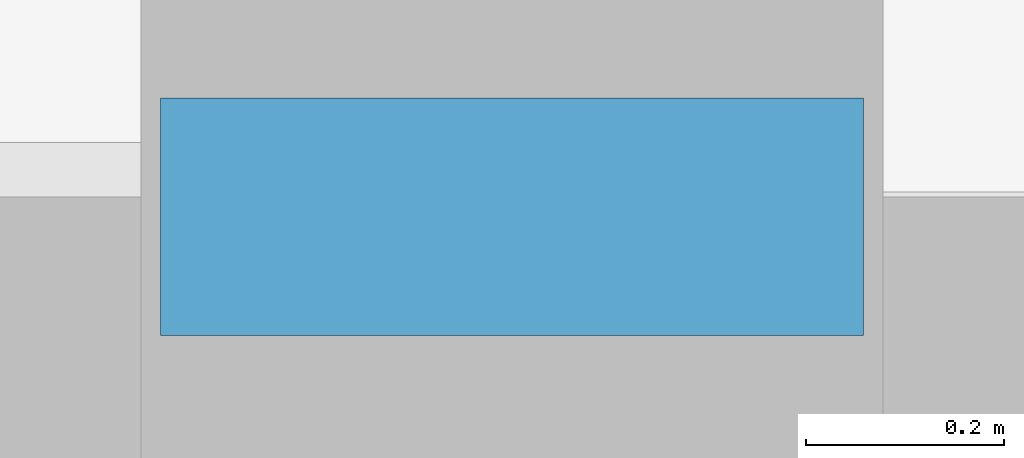
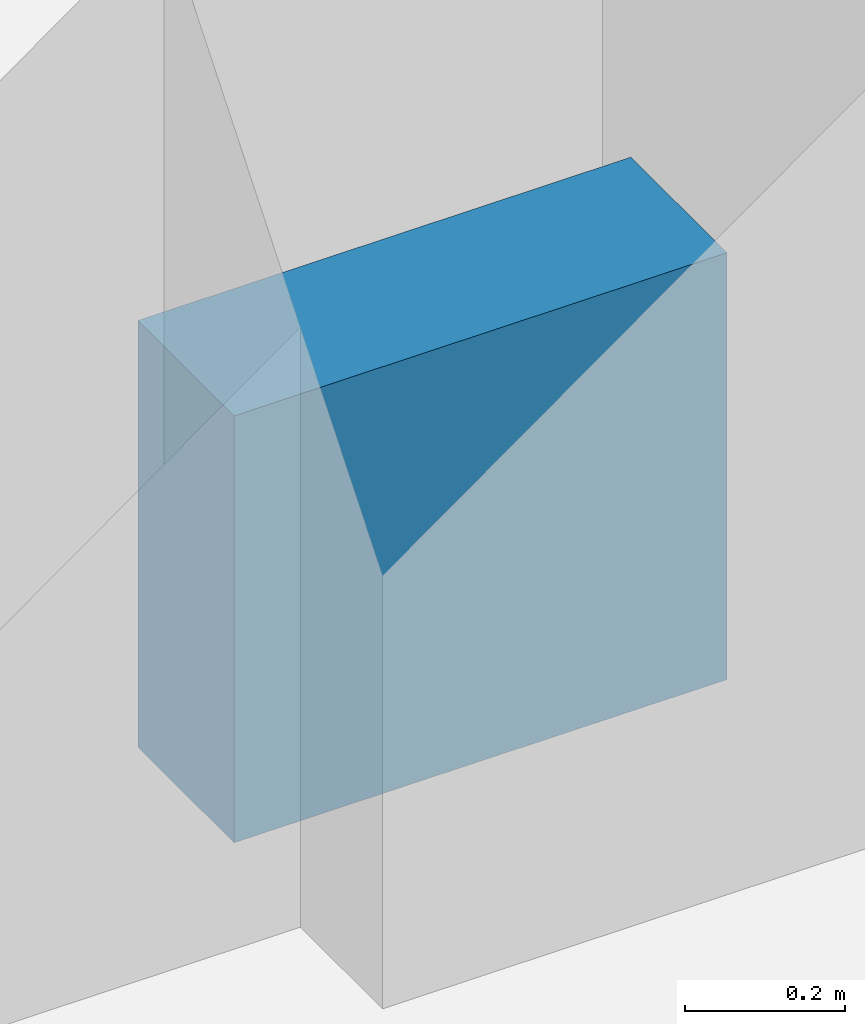
# One storey, part 79 of 90: 1 wall.
"""IFC4 building model written with IfcOpenShell, lengths in metres."""

from ifc_helpers import new_model, si_unit, direction, frame, frame_2d, origin, place, context, subcontext, project, spatial, rectangle, extrude, material, layer, layer_set, type_object, element, save


model = new_model("IFC4")

# Units and contexts
model_context = context("Model", 3, precision=1e-05, world=origin(), true_north=direction((0.0, 1.0)))
body_context = subcontext(model_context, "Body", "Model", "MODEL_VIEW")
ifc_project = project(units=[si_unit("LENGTHUNIT", "METRE"), si_unit("AREAUNIT", "SQUARE_METRE"), si_unit("VOLUMEUNIT", "CUBIC_METRE"), si_unit("PLANEANGLEUNIT", "RADIAN"), si_unit("MASSUNIT", "GRAM", prefix="KILO")], contexts=[model_context])

# Site, building, storey
site_placement = place(None, origin())
site = spatial("IfcSite", under=ifc_project, at=site_placement, CompositionType="ELEMENT")
building_placement = place(site_placement, origin())
building = spatial("IfcBuilding", under=site, at=building_placement, Name="Muzn Square Opera House", CompositionType="ELEMENT")
storey_placement = place(building_placement, frame((0.0, 0.0, 9.800048828125)))
storey = spatial("IfcBuildingStorey", under=building, at=storey_placement, Name="L02", CompositionType="ELEMENT", Elevation=9.800048828125)

# Wall
ifc_material = material(Name="Precast concrete C40/50", Category="concrete")
ifc_layer = layer(ifc_material, 0.239990234375, Name="Precast concrete C40/50", Category="concrete")
ifc_layer_set = layer_set([ifc_layer], Name="Precast concrete C40/50")
wall_type = type_object("IfcWallType", Name="Roof Parapet Wall 240mm", PredefinedType="PARAPET", material=ifc_layer_set)
wall_placement = place(storey_placement, frame((13.14501953125, 31.35009765625, 0.0), z_axis=(0.0, 0.0, 1.0), x_axis=(1.0, 0.0, 0.0)))
element("IfcWall", 1, at=wall_placement, inside=storey, type_object=wall_type, Name="Roof Parapet ROOF-L02-WOUTER-S", PredefinedType="PARAPET", context=body_context, shape_type="SweptSolid", body=[
    extrude(rectangle(XDim=0.7099609375, YDim=0.239990234375, at=frame_2d((0.35498046875, 0.0))), origin(), (0.0, 0.0, 1.0), 0.64990234375),
])

save(model, "model.ifc")
